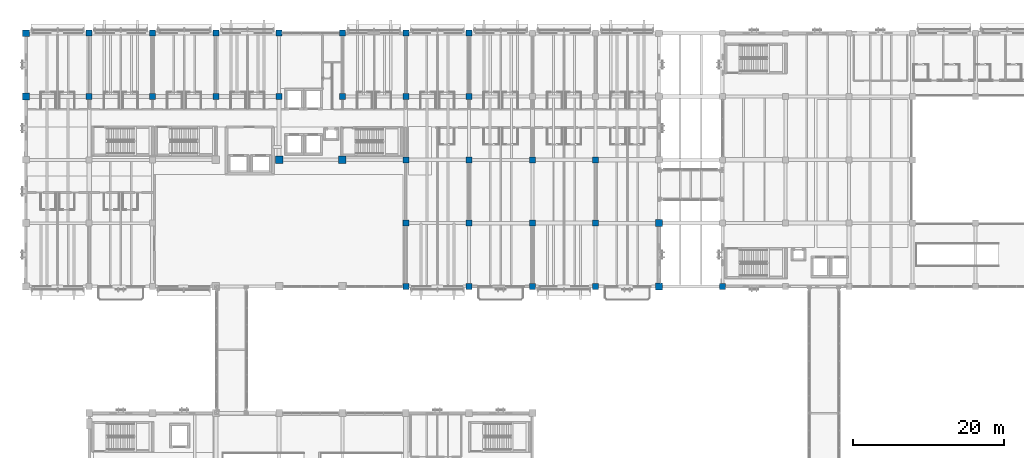
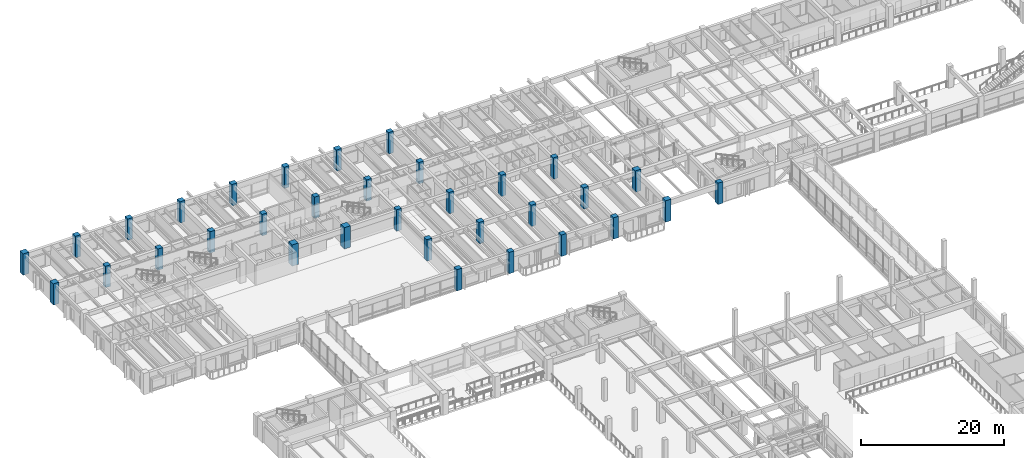
# One storey, part 7 of 118: 33 columns.
"""IFC4 building model written with IfcOpenShell, lengths in metres."""

from ifc_helpers import new_model, si_unit, direction, frame, origin, origin_2d, place, context, subcontext, project, spatial, rectangle, extrude, material, material_profile, profile_set, type_object, element, save


model = new_model("IFC4")

# Units and contexts
model_context = context("Model", 3, precision=1e-05, world=origin(), true_north=direction((0.0, 1.0)))
body_context = subcontext(model_context, "Body", "Model", "MODEL_VIEW")
ifc_project = project(units=[si_unit("LENGTHUNIT", "METRE"), si_unit("AREAUNIT", "SQUARE_METRE"), si_unit("VOLUMEUNIT", "CUBIC_METRE"), si_unit("PLANEANGLEUNIT", "RADIAN"), si_unit("MASSUNIT", "GRAM", prefix="KILO")], contexts=[model_context])

# Site, building, storey
site_placement = place(None, origin())
site = spatial("IfcSite", under=ifc_project, at=site_placement, CompositionType="ELEMENT")
building_placement = place(site_placement, origin())
building = spatial("IfcBuilding", under=site, at=building_placement, Name="Cumbredor Promenade Congress Hotel", CompositionType="ELEMENT")
storey_placement = place(building_placement, frame((0.0, 0.0, 3.919921875)))
storey = spatial("IfcBuildingStorey", under=building, at=storey_placement, Name="L01", CompositionType="ELEMENT", Elevation=3.919921875)

# Columns
ifc_material = material(Name="Concrete C50/60", Category="concrete")
ifc_material_profile_1 = material_profile(ifc_material, rectangle(XDim=1.0, YDim=1.0, at=origin_2d()), Name="RC 1000x1000")
ifc_profile_set_1 = profile_set([ifc_material_profile_1], Name="Concrete C50/60")
column_type_1 = type_object("IfcColumnType", Name="COL-RC-1000", PredefinedType="COLUMN", material=ifc_profile_set_1)
for number, where, z_axis, x_axis, name in (
    (1, (33.60009765625, 100.800048828125, 0.0), (0.0, 0.0, 1.0), (1.0, 0.0, 0.0), "L01 Structural Column 045"),
    (2, (42.0, 100.800048828125, 0.0), (0.0, 0.0, 1.0), (1.0, 0.0, 0.0), "L01 Structural Column 053"),
):
    element("IfcColumn", number, at=place(storey_placement, frame(where, z_axis=z_axis, x_axis=x_axis)), inside=storey, type_object=column_type_1, Name=name, PredefinedType="COLUMN", context=body_context, shape_type="SweptSolid", body=[
        extrude(rectangle(XDim=1.0, YDim=1.0, at=origin_2d()), origin(), (0.0, 0.0, 1.0), 3.64013671875),
    ])
ifc_material_profile_2 = material_profile(ifc_material, rectangle(XDim=0.800048828125, YDim=0.800048828125, at=origin_2d()), Name="RC 800x800")
ifc_profile_set_2 = profile_set([ifc_material_profile_2], Name="Concrete C50/60")
column_type_2 = type_object("IfcColumnType", Name="COL-RC-800", PredefinedType="COLUMN", material=ifc_profile_set_2)
for number, where, z_axis, x_axis, name in (
    (3, (8.39990234375, 109.199951171875, 0.0), (0.0, 0.0, 1.0), (1.0, 0.0, 0.0), "L01 Structural Column 017"),
    (4, (8.39990234375, 117.60009765625, 0.0), (0.0, 0.0, 1.0), (1.0, 0.0, 0.0), "L01 Structural Column 018"),
    (5, (16.800048828125, 109.199951171875, 0.0), (0.0, 0.0, 1.0), (1.0, 0.0, 0.0), "L01 Structural Column 030"),
    (6, (16.800048828125, 117.60009765625, 0.0), (0.0, 0.0, 1.0), (1.0, 0.0, 0.0), "L01 Structural Column 031"),
    (7, (25.199951171875, 109.199951171875, 0.0), (0.0, 0.0, 1.0), (1.0, 0.0, 0.0), "L01 Structural Column 038"),
    (8, (25.199951171875, 117.60009765625, 0.0), (0.0, 0.0, 1.0), (1.0, 0.0, 0.0), "L01 Structural Column 039"),
    (9, (33.60009765625, 109.199951171875, 0.0), (0.0, 0.0, 1.0), (1.0, 0.0, 0.0), "L01 Structural Column 046"),
    (10, (33.60009765625, 117.60009765625, 0.0), (0.0, 0.0, 1.0), (1.0, 0.0, 0.0), "L01 Structural Column 047"),
    (11, (42.0, 109.199951171875, 0.0), (0.0, 0.0, 1.0), (1.0, 0.0, 0.0), "L01 Structural Column 054"),
    (12, (42.0, 117.60009765625, 0.0), (0.0, 0.0, 1.0), (1.0, 0.0, 0.0), "L01 Structural Column 055"),
    (13, (50.39990234375, 84.0, 0.0), (0.0, 0.0, 1.0), (1.0, 0.0, 0.0), "L01 Structural Column 060"),
    (14, (50.39990234375, 92.39990234375, 0.0), (0.0, 0.0, 1.0), (1.0, 0.0, 0.0), "L01 Structural Column 061"),
    (15, (50.39990234375, 100.800048828125, 0.0), (0.0, 0.0, 1.0), (1.0, 0.0, 0.0), "L01 Structural Column 062"),
    (16, (50.39990234375, 109.199951171875, 0.0), (0.0, 0.0, 1.0), (1.0, 0.0, 0.0), "L01 Structural Column 063"),
    (17, (50.39990234375, 117.60009765625, 0.0), (0.0, 0.0, 1.0), (1.0, 0.0, 0.0), "L01 Structural Column 064"),
    (18, (58.800048828125, 84.0, 0.0), (0.0, 0.0, 1.0), (1.0, 0.0, 0.0), "L01 Structural Column 073"),
    (19, (58.800048828125, 92.39990234375, 0.0), (0.0, 0.0, 1.0), (1.0, 0.0, 0.0), "L01 Structural Column 074"),
    (20, (58.800048828125, 100.800048828125, 0.0), (0.0, 0.0, 1.0), (1.0, 0.0, 0.0), "L01 Structural Column 075"),
    (21, (58.800048828125, 109.199951171875, 0.0), (0.0, 0.0, 1.0), (1.0, 0.0, 0.0), "L01 Structural Column 076"),
    (22, (58.800048828125, 117.60009765625, 0.0), (0.0, 0.0, 1.0), (1.0, 0.0, 0.0), "L01 Structural Column 077"),
    (23, (67.199951171875, 84.0, 0.0), (0.0, 0.0, 1.0), (1.0, 0.0, 0.0), "L01 Structural Column 086"),
    (24, (67.199951171875, 92.39990234375, 0.0), (0.0, 0.0, 1.0), (1.0, 0.0, 0.0), "L01 Structural Column 087"),
    (25, (67.199951171875, 100.800048828125, 0.0), (0.0, 0.0, 1.0), (1.0, 0.0, 0.0), "L01 Structural Column 088"),
    (26, (75.60009765625, 84.0, 0.0), (0.0, 0.0, 1.0), (1.0, 0.0, 0.0), "L01 Structural Column 097"),
    (27, (75.60009765625, 92.39990234375, 0.0), (0.0, 0.0, 1.0), (1.0, 0.0, 0.0), "L01 Structural Column 098"),
    (28, (75.60009765625, 100.800048828125, 0.0), (0.0, 0.0, 1.0), (1.0, 0.0, 0.0), "L01 Structural Column 099"),
    (29, (92.39990234375, 84.0, 0.0), (0.0, 0.0, 1.0), (1.0, 0.0, 0.0), "L01 Structural Column 115"),
):
    element("IfcColumn", number, at=place(storey_placement, frame(where, z_axis=z_axis, x_axis=x_axis)), inside=storey, type_object=column_type_2, Name=name, PredefinedType="COLUMN", context=body_context, shape_type="SweptSolid", body=[
        extrude(rectangle(XDim=0.800048828125, YDim=0.800048828125, at=origin_2d()), origin(), (0.0, 0.0, 1.0), 3.64013671875),
    ])
ifc_material_profile_3 = material_profile(ifc_material, rectangle(XDim=0.89990234375, YDim=0.89990234375, at=origin_2d()), Name="RC 900x900")
ifc_profile_set_3 = profile_set([ifc_material_profile_3], Name="Concrete C50/60")
column_type_3 = type_object("IfcColumnType", Name="COL-RC-900", PredefinedType="COLUMN", material=ifc_profile_set_3)
for number, where, z_axis, x_axis, name in (
    (30, (0.0, 109.199951171875, 0.0), (0.0, 0.0, 1.0), (1.0, 0.0, 0.0), "L01 Structural Column 004"),
    (31, (0.0, 117.60009765625, 0.0), (0.0, 0.0, 1.0), (1.0, 0.0, 0.0), "L01 Structural Column 005"),
    (32, (84.0, 84.0, 0.0), (0.0, 0.0, 1.0), (1.0, 0.0, 0.0), "L01 Structural Column 106"),
    (33, (84.0, 92.39990234375, 0.0), (0.0, 0.0, 1.0), (1.0, 0.0, 0.0), "L01 Structural Column 107"),
):
    element("IfcColumn", number, at=place(storey_placement, frame(where, z_axis=z_axis, x_axis=x_axis)), inside=storey, type_object=column_type_3, Name=name, PredefinedType="COLUMN", context=body_context, shape_type="SweptSolid", body=[
        extrude(rectangle(XDim=0.89990234375, YDim=0.89990234375, at=origin_2d()), origin(), (0.0, 0.0, 1.0), 3.64013671875),
    ])

save(model, "model.ifc")
